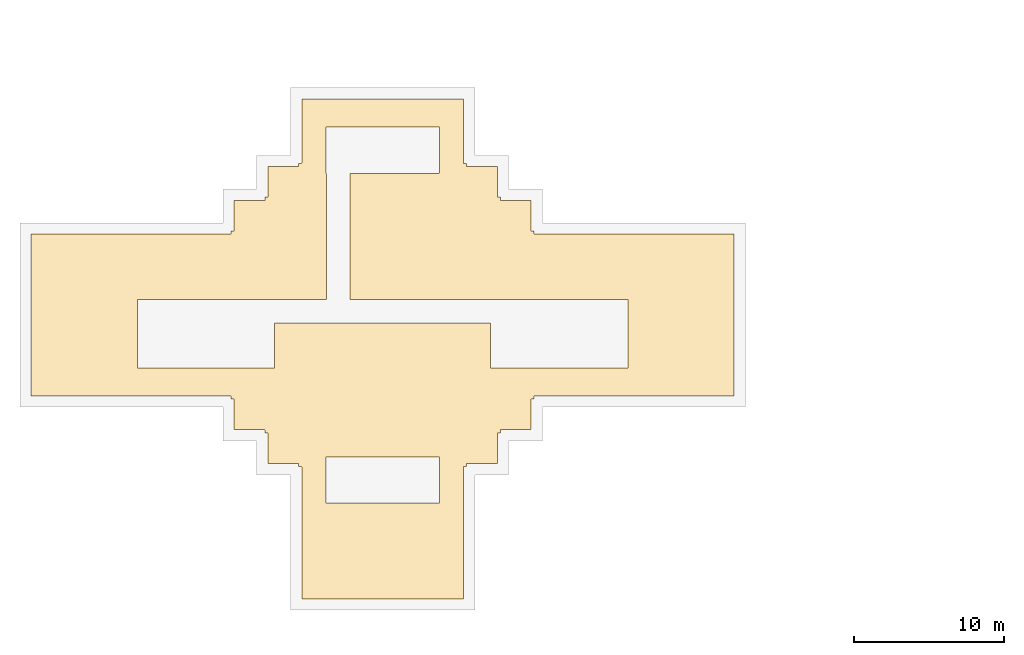
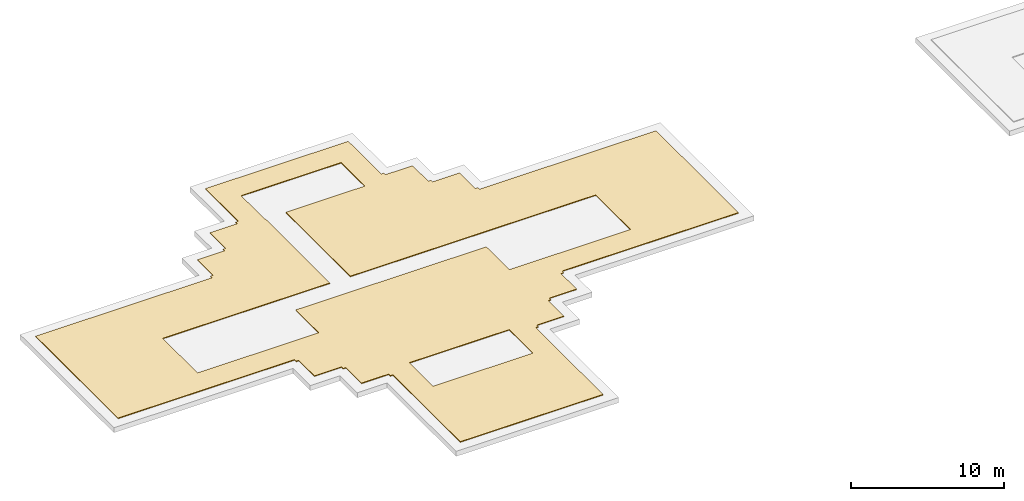
# One storey, part 2 of 3: 1 covering.
"""IFC4 building model written with IfcOpenShell, lengths in metres."""

from ifc_helpers import new_model, si_unit, direction, frame, origin, place, context, subcontext, project, spatial, polyline, outline, extrude, material, layer, layer_set, type_object, element, save


model = new_model("IFC4")

# Units and contexts
model_context = context("Model", 3, precision=1e-05, world=origin(), true_north=direction((0.0, 1.0)))
body_context = subcontext(model_context, "Body", "Model", "MODEL_VIEW")
ifc_project = project(units=[si_unit("LENGTHUNIT", "METRE"), si_unit("AREAUNIT", "SQUARE_METRE"), si_unit("VOLUMEUNIT", "CUBIC_METRE"), si_unit("PLANEANGLEUNIT", "RADIAN"), si_unit("MASSUNIT", "GRAM", prefix="KILO")], contexts=[model_context])

# Site, building, storey
site_placement = place(None, origin())
site = spatial("IfcSite", under=ifc_project, at=site_placement, CompositionType="ELEMENT")
building_placement = place(site_placement, origin())
building = spatial("IfcBuilding", under=site, at=building_placement, Name="Shamsa Quay Exchange Towers", CompositionType="ELEMENT")
storey_placement = place(building_placement, frame((0.0, 0.0, 311.199951171875)))
storey = spatial("IfcBuildingStorey", under=building, at=storey_placement, Name="Roof Crown", CompositionType="ELEMENT", Elevation=311.199951171875)

# Covering
ifc_material = material(Name="Bituminous waterproofing membrane with ballast")
ifc_layer = layer(ifc_material, 0.06005859375)
ifc_layer_set = layer_set([ifc_layer], Name="ROOF MEMBRANE 60")
covering_type = type_object("IfcCoveringType", Name="ROOF MEMBRANE 60", PredefinedType="ROOFING", material=ifc_layer_set)
covering_placement = place(storey_placement, frame((0.0, 0.0, 0.400146484375)))
element("IfcCovering", 1, at=covering_placement, inside=storey, type_object=covering_type, Name="Roof membrane T1 1", PredefinedType="ROOFING", context=body_context, shape_type="SweptSolid", body=[
    extrude(outline(polyline([(-41.38134765625, -9.88134765625), (-41.38134765625, -7.859375), (-41.381591796875, -7.857421875), (-41.3818359375, -7.85546875), (-41.38232421875, -7.853759765625), (-41.3828125, -7.851806640625), (-41.3837890625, -7.85009765625), (-41.384765625, -7.848388671875), (-41.385986328125, -7.8466796875), (-41.38720703125, -7.84521484375), (-41.388671875, -7.843994140625), (-41.390380859375, -7.8427734375), (-41.39208984375, -7.841796875), (-41.393798828125, -7.841064453125), (-41.3955078125, -7.84033203125), (-41.3974609375, -7.83984375), (-41.3994140625, -7.839599609375), (-41.4013671875, -7.83935546875), (-41.58447265625, -7.83935546875), (-41.58447265625, -7.6513671875), (-41.584716796875, -7.6494140625), (-41.5849609375, -7.6474609375), (-41.58544921875, -7.6455078125), (-41.586181640625, -7.643798828125), (-41.5869140625, -7.64208984375), (-41.587890625, -7.640380859375), (-41.589111328125, -7.638671875), (-41.59033203125, -7.63720703125), (-41.591796875, -7.635986328125), (-41.593505859375, -7.634765625), (-41.59521484375, -7.6337890625), (-41.596923828125, -7.6328125), (-41.5986328125, -7.63232421875), (-41.6005859375, -7.6318359375), (-41.6025390625, -7.631591796875), (-41.6044921875, -7.63134765625), (-43.63134765625, -7.63134765625), (-43.63134765625, -5.609375), (-43.631591796875, -5.607421875), (-43.6318359375, -5.60546875), (-43.63232421875, -5.603759765625), (-43.6328125, -5.601806640625), (-43.6337890625, -5.60009765625), (-43.634765625, -5.598388671875), (-43.635986328125, -5.5966796875), (-43.63720703125, -5.59521484375), (-43.638671875, -5.593994140625), (-43.640380859375, -5.5927734375), (-43.64208984375, -5.591796875), (-43.643798828125, -5.591064453125), (-43.6455078125, -5.59033203125), (-43.6474609375, -5.58984375), (-43.6494140625, -5.589599609375), (-43.6513671875, -5.58935546875), (-43.83447265625, -5.58935546875), (-43.83447265625, -5.4013671875), (-43.834716796875, -5.3994140625), (-43.8349609375, -5.3974609375), (-43.83544921875, -5.3955078125), (-43.836181640625, -5.393798828125), (-43.8369140625, -5.39208984375), (-43.837890625, -5.390380859375), (-43.839111328125, -5.388671875), (-43.84033203125, -5.38720703125), (-43.841796875, -5.385986328125), (-43.843505859375, -5.384765625), (-43.84521484375, -5.3837890625), (-43.846923828125, -5.3828125), (-43.8486328125, -5.38232421875), (-43.8505859375, -5.3818359375), (-43.8525390625, -5.381591796875), (-43.8544921875, -5.38134765625), (-50.6044921875, -5.38134765625), (-51.1455078125, -5.38134765625), (-57.13134765625, -5.38134765625), (-57.13134765625, -0.265625), (-57.13134765625, 0.265625), (-57.13134765625, 5.38134765625), (-51.1455078125, 5.38134765625), (-50.6044921875, 5.38134765625), (-43.8544921875, 5.38134765625), (-43.8525390625, 5.381591796875), (-43.8505859375, 5.3818359375), (-43.8486328125, 5.38232421875), (-43.846923828125, 5.3828125), (-43.84521484375, 5.3837890625), (-43.843505859375, 5.384765625), (-43.841796875, 5.385986328125), (-43.84033203125, 5.38720703125), (-43.839111328125, 5.388671875), (-43.837890625, 5.390380859375), (-43.8369140625, 5.39208984375), (-43.836181640625, 5.393798828125), (-43.83544921875, 5.3955078125), (-43.8349609375, 5.3974609375), (-43.834716796875, 5.3994140625), (-43.83447265625, 5.4013671875), (-43.83447265625, 5.58935546875), (-43.6513671875, 5.58935546875), (-43.6494140625, 5.589599609375), (-43.6474609375, 5.58984375), (-43.6455078125, 5.59033203125), (-43.643798828125, 5.591064453125), (-43.64208984375, 5.591796875), (-43.640380859375, 5.5927734375), (-43.638671875, 5.593994140625), (-43.63720703125, 5.59521484375), (-43.635986328125, 5.5966796875), (-43.634765625, 5.598388671875), (-43.6337890625, 5.60009765625), (-43.6328125, 5.601806640625), (-43.63232421875, 5.603759765625), (-43.6318359375, 5.60546875), (-43.631591796875, 5.607421875), (-43.63134765625, 5.609375), (-43.63134765625, 7.63134765625), (-41.6044921875, 7.63134765625), (-41.6025390625, 7.631591796875), (-41.6005859375, 7.6318359375), (-41.5986328125, 7.63232421875), (-41.596923828125, 7.6328125), (-41.59521484375, 7.6337890625), (-41.593505859375, 7.634765625), (-41.591796875, 7.635986328125), (-41.59033203125, 7.63720703125), (-41.589111328125, 7.638671875), (-41.587890625, 7.640380859375), (-41.5869140625, 7.64208984375), (-41.586181640625, 7.643798828125), (-41.58544921875, 7.6455078125), (-41.5849609375, 7.6474609375), (-41.584716796875, 7.6494140625), (-41.58447265625, 7.6513671875), (-41.58447265625, 7.83935546875), (-41.4013671875, 7.83935546875), (-41.3994140625, 7.839599609375), (-41.3974609375, 7.83984375), (-41.3955078125, 7.84033203125), (-41.393798828125, 7.841064453125), (-41.39208984375, 7.841796875), (-41.390380859375, 7.8427734375), (-41.388671875, 7.843994140625), (-41.38720703125, 7.84521484375), (-41.385986328125, 7.8466796875), (-41.384765625, 7.848388671875), (-41.3837890625, 7.85009765625), (-41.3828125, 7.851806640625), (-41.38232421875, 7.853759765625), (-41.3818359375, 7.85546875), (-41.381591796875, 7.857421875), (-41.38134765625, 7.859375), (-41.38134765625, 9.88134765625), (-39.3544921875, 9.88134765625), (-39.3525390625, 9.881591796875), (-39.3505859375, 9.8818359375), (-39.3486328125, 9.88232421875), (-39.346923828125, 9.8828125), (-39.34521484375, 9.8837890625), (-39.343505859375, 9.884765625), (-39.341796875, 9.885986328125), (-39.34033203125, 9.88720703125), (-39.339111328125, 9.888671875), (-39.337890625, 9.890380859375), (-39.3369140625, 9.89208984375), (-39.336181640625, 9.893798828125), (-39.33544921875, 9.8955078125), (-39.3349609375, 9.8974609375), (-39.334716796875, 9.8994140625), (-39.33447265625, 9.9013671875), (-39.33447265625, 10.08935546875), (-39.1513671875, 10.08935546875), (-39.1494140625, 10.089599609375), (-39.1474609375, 10.08984375), (-39.1455078125, 10.09033203125), (-39.143798828125, 10.091064453125), (-39.14208984375, 10.091796875), (-39.140380859375, 10.0927734375), (-39.138671875, 10.093994140625), (-39.13720703125, 10.09521484375), (-39.135986328125, 10.0966796875), (-39.134765625, 10.098388671875), (-39.1337890625, 10.10009765625), (-39.1328125, 10.101806640625), (-39.13232421875, 10.103759765625), (-39.1318359375, 10.10546875), (-39.131591796875, 10.107421875), (-39.13134765625, 10.109375), (-39.13134765625, 14.38134765625), (-34.0205078125, 14.38134765625), (-33.4794921875, 14.38134765625), (-28.36865234375, 14.38134765625), (-28.36865234375, 10.109375), (-28.368408203125, 10.107421875), (-28.3681640625, 10.10546875), (-28.36767578125, 10.103759765625), (-28.3671875, 10.101806640625), (-28.3662109375, 10.10009765625), (-28.365234375, 10.098388671875), (-28.364013671875, 10.0966796875), (-28.36279296875, 10.09521484375), (-28.361328125, 10.093994140625), (-28.359619140625, 10.0927734375), (-28.35791015625, 10.091796875), (-28.356201171875, 10.091064453125), (-28.3544921875, 10.09033203125), (-28.3525390625, 10.08984375), (-28.3505859375, 10.089599609375), (-28.3486328125, 10.08935546875), (-28.16552734375, 10.08935546875), (-28.16552734375, 9.9013671875), (-28.165283203125, 9.8994140625), (-28.1650390625, 9.8974609375), (-28.16455078125, 9.8955078125), (-28.163818359375, 9.893798828125), (-28.1630859375, 9.89208984375), (-28.162109375, 9.890380859375), (-28.160888671875, 9.888671875), (-28.15966796875, 9.88720703125), (-28.158203125, 9.885986328125), (-28.156494140625, 9.884765625), (-28.15478515625, 9.8837890625), (-28.153076171875, 9.8828125), (-28.1513671875, 9.88232421875), (-28.1494140625, 9.8818359375), (-28.1474609375, 9.881591796875), (-28.1455078125, 9.88134765625), (-26.11865234375, 9.88134765625), (-26.11865234375, 7.859375), (-26.118408203125, 7.857421875), (-26.1181640625, 7.85546875), (-26.11767578125, 7.853759765625), (-26.1171875, 7.851806640625), (-26.1162109375, 7.85009765625), (-26.115234375, 7.848388671875), (-26.114013671875, 7.8466796875), (-26.11279296875, 7.84521484375), (-26.111328125, 7.843994140625), (-26.109619140625, 7.8427734375), (-26.10791015625, 7.841796875), (-26.106201171875, 7.841064453125), (-26.1044921875, 7.84033203125), (-26.1025390625, 7.83984375), (-26.1005859375, 7.839599609375), (-26.0986328125, 7.83935546875), (-25.91552734375, 7.83935546875), (-25.91552734375, 7.6513671875), (-25.915283203125, 7.6494140625), (-25.9150390625, 7.6474609375), (-25.91455078125, 7.6455078125), (-25.913818359375, 7.643798828125), (-25.9130859375, 7.64208984375), (-25.912109375, 7.640380859375), (-25.910888671875, 7.638671875), (-25.90966796875, 7.63720703125), (-25.908203125, 7.635986328125), (-25.906494140625, 7.634765625), (-25.90478515625, 7.6337890625), (-25.903076171875, 7.6328125), (-25.9013671875, 7.63232421875), (-25.8994140625, 7.6318359375), (-25.8974609375, 7.631591796875), (-25.8955078125, 7.63134765625), (-23.86865234375, 7.63134765625), (-23.86865234375, 5.609375), (-23.868408203125, 5.607421875), (-23.8681640625, 5.60546875), (-23.86767578125, 5.603759765625), (-23.8671875, 5.601806640625), (-23.8662109375, 5.60009765625), (-23.865234375, 5.598388671875), (-23.864013671875, 5.5966796875), (-23.86279296875, 5.59521484375), (-23.861328125, 5.593994140625), (-23.859619140625, 5.5927734375), (-23.85791015625, 5.591796875), (-23.856201171875, 5.591064453125), (-23.8544921875, 5.59033203125), (-23.8525390625, 5.58984375), (-23.8505859375, 5.589599609375), (-23.8486328125, 5.58935546875), (-23.66552734375, 5.58935546875), (-23.66552734375, 5.4013671875), (-23.665283203125, 5.3994140625), (-23.6650390625, 5.3974609375), (-23.66455078125, 5.3955078125), (-23.663818359375, 5.393798828125), (-23.6630859375, 5.39208984375), (-23.662109375, 5.390380859375), (-23.660888671875, 5.388671875), (-23.65966796875, 5.38720703125), (-23.658203125, 5.385986328125), (-23.656494140625, 5.384765625), (-23.65478515625, 5.3837890625), (-23.653076171875, 5.3828125), (-23.6513671875, 5.38232421875), (-23.6494140625, 5.3818359375), (-23.6474609375, 5.381591796875), (-23.6455078125, 5.38134765625), (-16.8955078125, 5.38134765625), (-16.3544921875, 5.38134765625), (-10.36865234375, 5.38134765625), (-10.36865234375, 0.265625), (-10.36865234375, -0.265625), (-10.36865234375, -5.38134765625), (-16.3544921875, -5.38134765625), (-16.8955078125, -5.38134765625), (-23.6455078125, -5.38134765625), (-23.6474609375, -5.381591796875), (-23.6494140625, -5.3818359375), (-23.6513671875, -5.38232421875), (-23.653076171875, -5.3828125), (-23.65478515625, -5.3837890625), (-23.656494140625, -5.384765625), (-23.658203125, -5.385986328125), (-23.65966796875, -5.38720703125), (-23.660888671875, -5.388671875), (-23.662109375, -5.390380859375), (-23.6630859375, -5.39208984375), (-23.663818359375, -5.393798828125), (-23.66455078125, -5.3955078125), (-23.6650390625, -5.3974609375), (-23.665283203125, -5.3994140625), (-23.66552734375, -5.4013671875), (-23.66552734375, -5.58935546875), (-23.8486328125, -5.58935546875), (-23.8505859375, -5.589599609375), (-23.8525390625, -5.58984375), (-23.8544921875, -5.59033203125), (-23.856201171875, -5.591064453125), (-23.85791015625, -5.591796875), (-23.859619140625, -5.5927734375), (-23.861328125, -5.593994140625), (-23.86279296875, -5.59521484375), (-23.864013671875, -5.5966796875), (-23.865234375, -5.598388671875), (-23.8662109375, -5.60009765625), (-23.8671875, -5.601806640625), (-23.86767578125, -5.603759765625), (-23.8681640625, -5.60546875), (-23.868408203125, -5.607421875), (-23.86865234375, -5.609375), (-23.86865234375, -7.63134765625), (-25.8955078125, -7.63134765625), (-25.8974609375, -7.631591796875), (-25.8994140625, -7.6318359375), (-25.9013671875, -7.63232421875), (-25.903076171875, -7.6328125), (-25.90478515625, -7.6337890625), (-25.906494140625, -7.634765625), (-25.908203125, -7.635986328125), (-25.90966796875, -7.63720703125), (-25.910888671875, -7.638671875), (-25.912109375, -7.640380859375), (-25.9130859375, -7.64208984375), (-25.913818359375, -7.643798828125), (-25.91455078125, -7.6455078125), (-25.9150390625, -7.6474609375), (-25.915283203125, -7.6494140625), (-25.91552734375, -7.6513671875), (-25.91552734375, -7.83935546875), (-26.0986328125, -7.83935546875), (-26.1005859375, -7.839599609375), (-26.1025390625, -7.83984375), (-26.1044921875, -7.84033203125), (-26.106201171875, -7.841064453125), (-26.10791015625, -7.841796875), (-26.109619140625, -7.8427734375), (-26.111328125, -7.843994140625), (-26.11279296875, -7.84521484375), (-26.114013671875, -7.8466796875), (-26.115234375, -7.848388671875), (-26.1162109375, -7.85009765625), (-26.1171875, -7.851806640625), (-26.11767578125, -7.853759765625), (-26.1181640625, -7.85546875), (-26.118408203125, -7.857421875), (-26.11865234375, -7.859375), (-26.11865234375, -9.88134765625), (-28.1455078125, -9.88134765625), (-28.1474609375, -9.881591796875), (-28.1494140625, -9.8818359375), (-28.1513671875, -9.88232421875), (-28.153076171875, -9.8828125), (-28.15478515625, -9.8837890625), (-28.156494140625, -9.884765625), (-28.158203125, -9.885986328125), (-28.15966796875, -9.88720703125), (-28.160888671875, -9.888671875), (-28.162109375, -9.890380859375), (-28.1630859375, -9.89208984375), (-28.163818359375, -9.893798828125), (-28.16455078125, -9.8955078125), (-28.1650390625, -9.8974609375), (-28.165283203125, -9.8994140625), (-28.16552734375, -9.9013671875), (-28.16552734375, -10.08935546875), (-28.3486328125, -10.08935546875), (-28.3505859375, -10.089599609375), (-28.3525390625, -10.08984375), (-28.3544921875, -10.09033203125), (-28.356201171875, -10.091064453125), (-28.35791015625, -10.091796875), (-28.359619140625, -10.0927734375), (-28.361328125, -10.093994140625), (-28.36279296875, -10.09521484375), (-28.364013671875, -10.0966796875), (-28.365234375, -10.098388671875), (-28.3662109375, -10.10009765625), (-28.3671875, -10.101806640625), (-28.36767578125, -10.103759765625), (-28.3681640625, -10.10546875), (-28.368408203125, -10.107421875), (-28.36865234375, -10.109375), (-28.36865234375, -18.88134765625), (-33.4794921875, -18.88134765625), (-34.0205078125, -18.88134765625), (-39.13134765625, -18.88134765625), (-39.13134765625, -10.109375), (-39.131591796875, -10.107421875), (-39.1318359375, -10.10546875), (-39.13232421875, -10.103759765625), (-39.1328125, -10.101806640625), (-39.1337890625, -10.10009765625), (-39.134765625, -10.098388671875), (-39.135986328125, -10.0966796875), (-39.13720703125, -10.09521484375), (-39.138671875, -10.093994140625), (-39.140380859375, -10.0927734375), (-39.14208984375, -10.091796875), (-39.143798828125, -10.091064453125), (-39.1455078125, -10.09033203125), (-39.1474609375, -10.08984375), (-39.1494140625, -10.089599609375), (-39.1513671875, -10.08935546875), (-39.33447265625, -10.08935546875), (-39.33447265625, -9.9013671875), (-39.334716796875, -9.8994140625), (-39.3349609375, -9.8974609375), (-39.33544921875, -9.8955078125), (-39.336181640625, -9.893798828125), (-39.3369140625, -9.89208984375), (-39.337890625, -9.890380859375), (-39.339111328125, -9.888671875), (-39.34033203125, -9.88720703125), (-39.341796875, -9.885986328125), (-39.343505859375, -9.884765625), (-39.34521484375, -9.8837890625), (-39.346923828125, -9.8828125), (-39.3486328125, -9.88232421875), (-39.3505859375, -9.8818359375), (-39.3525390625, -9.881591796875), (-39.3544921875, -9.88134765625), (-41.38134765625, -9.88134765625)]), holes=[polyline([(-29.998046875, 12.52001953125), (-30.0, 12.52001953125), (-37.5, 12.52001953125), (-37.501953125, 12.52001953125), (-37.50390625, 12.51953125), (-37.505859375, 12.51904296875), (-37.507568359375, 12.5185546875), (-37.509521484375, 12.517578125), (-37.51123046875, 12.5166015625), (-37.5126953125, 12.515380859375), (-37.51416015625, 12.51416015625), (-37.515380859375, 12.5126953125), (-37.5166015625, 12.51123046875), (-37.517578125, 12.509521484375), (-37.5185546875, 12.507568359375), (-37.51904296875, 12.505859375), (-37.51953125, 12.50390625), (-37.52001953125, 12.501953125), (-37.52001953125, 12.5), (-37.52001953125, 9.449951171875), (-37.52001953125, 9.447998046875), (-37.51953125, 9.446044921875), (-37.51904296875, 9.444091796875), (-37.5185546875, 9.4423828125), (-37.517578125, 9.440673828125), (-37.5166015625, 9.43896484375), (-37.515380859375, 9.437255859375), (-37.51416015625, 9.435791015625), (-37.5126953125, 9.4345703125), (-37.51123046875, 9.433349609375), (-37.509521484375, 9.432373046875), (-37.507568359375, 9.431640625), (-37.505859375, 9.430908203125), (-37.50390625, 9.430419921875), (-37.501953125, 9.43017578125), (-37.5, 9.429931640625), (-37.469970703125, 9.429931640625), (-37.469970703125, 1.02001953125), (-40.949951171875, 1.02001953125), (-44.800048828125, 1.02001953125), (-50.050048828125, 1.02001953125), (-50.052001953125, 1.02001953125), (-50.053955078125, 1.01953125), (-50.055908203125, 1.01904296875), (-50.0576171875, 1.0185546875), (-50.059326171875, 1.017578125), (-50.06103515625, 1.0166015625), (-50.062744140625, 1.015380859375), (-50.064208984375, 1.01416015625), (-50.0654296875, 1.0126953125), (-50.066650390625, 1.01123046875), (-50.067626953125, 1.009521484375), (-50.068359375, 1.007568359375), (-50.069091796875, 1.005859375), (-50.069580078125, 1.00390625), (-50.06982421875, 1.001953125), (-50.070068359375, 1.0), (-50.070068359375, -0.5), (-50.070068359375, -3.5), (-50.06982421875, -3.501953125), (-50.069580078125, -3.50390625), (-50.069091796875, -3.505859375), (-50.068359375, -3.507568359375), (-50.067626953125, -3.509521484375), (-50.066650390625, -3.51123046875), (-50.0654296875, -3.5126953125), (-50.064208984375, -3.51416015625), (-50.062744140625, -3.515380859375), (-50.06103515625, -3.5166015625), (-50.059326171875, -3.517578125), (-50.0576171875, -3.5185546875), (-50.055908203125, -3.51904296875), (-50.053955078125, -3.51953125), (-50.052001953125, -3.52001953125), (-50.050048828125, -3.52001953125), (-40.949951171875, -3.52001953125), (-40.947998046875, -3.52001953125), (-40.946044921875, -3.51953125), (-40.944091796875, -3.51904296875), (-40.9423828125, -3.5185546875), (-40.940673828125, -3.517578125), (-40.93896484375, -3.5166015625), (-40.937255859375, -3.515380859375), (-40.935791015625, -3.51416015625), (-40.9345703125, -3.5126953125), (-40.933349609375, -3.51123046875), (-40.932373046875, -3.509521484375), (-40.931640625, -3.507568359375), (-40.930908203125, -3.505859375), (-40.930419921875, -3.50390625), (-40.93017578125, -3.501953125), (-40.929931640625, -3.5), (-40.929931640625, -0.52001953125), (-26.570068359375, -0.52001953125), (-26.570068359375, -3.5), (-26.56982421875, -3.501953125), (-26.569580078125, -3.50390625), (-26.569091796875, -3.505859375), (-26.568359375, -3.507568359375), (-26.567626953125, -3.509521484375), (-26.566650390625, -3.51123046875), (-26.5654296875, -3.5126953125), (-26.564208984375, -3.51416015625), (-26.562744140625, -3.515380859375), (-26.56103515625, -3.5166015625), (-26.559326171875, -3.517578125), (-26.5576171875, -3.5185546875), (-26.555908203125, -3.51904296875), (-26.553955078125, -3.51953125), (-26.552001953125, -3.52001953125), (-26.550048828125, -3.52001953125), (-17.449951171875, -3.52001953125), (-17.447998046875, -3.52001953125), (-17.446044921875, -3.51953125), (-17.444091796875, -3.51904296875), (-17.4423828125, -3.5185546875), (-17.440673828125, -3.517578125), (-17.43896484375, -3.5166015625), (-17.437255859375, -3.515380859375), (-17.435791015625, -3.51416015625), (-17.4345703125, -3.5126953125), (-17.433349609375, -3.51123046875), (-17.432373046875, -3.509521484375), (-17.431640625, -3.507568359375), (-17.430908203125, -3.505859375), (-17.430419921875, -3.50390625), (-17.43017578125, -3.501953125), (-17.429931640625, -3.5), (-17.429931640625, -0.5), (-17.429931640625, 1.0), (-17.43017578125, 1.001953125), (-17.430419921875, 1.00390625), (-17.430908203125, 1.005859375), (-17.431640625, 1.007568359375), (-17.432373046875, 1.009521484375), (-17.433349609375, 1.01123046875), (-17.4345703125, 1.0126953125), (-17.435791015625, 1.01416015625), (-17.437255859375, 1.015380859375), (-17.43896484375, 1.0166015625), (-17.440673828125, 1.017578125), (-17.4423828125, 1.0185546875), (-17.444091796875, 1.01904296875), (-17.446044921875, 1.01953125), (-17.447998046875, 1.02001953125), (-17.449951171875, 1.02001953125), (-22.699951171875, 1.02001953125), (-26.550048828125, 1.02001953125), (-35.929931640625, 1.02001953125), (-35.929931640625, 9.429931640625), (-30.0, 9.429931640625), (-29.998046875, 9.43017578125), (-29.99609375, 9.430419921875), (-29.994140625, 9.430908203125), (-29.992431640625, 9.431640625), (-29.990478515625, 9.432373046875), (-29.98876953125, 9.433349609375), (-29.9873046875, 9.4345703125), (-29.98583984375, 9.435791015625), (-29.984619140625, 9.437255859375), (-29.9833984375, 9.43896484375), (-29.982421875, 9.440673828125), (-29.9814453125, 9.4423828125), (-29.98095703125, 9.444091796875), (-29.98046875, 9.446044921875), (-29.97998046875, 9.447998046875), (-29.97998046875, 9.449951171875), (-29.97998046875, 12.5), (-29.97998046875, 12.501953125), (-29.98046875, 12.50390625), (-29.98095703125, 12.505859375), (-29.9814453125, 12.507568359375), (-29.982421875, 12.509521484375), (-29.9833984375, 12.51123046875), (-29.984619140625, 12.5126953125), (-29.98583984375, 12.51416015625), (-29.9873046875, 12.515380859375), (-29.98876953125, 12.5166015625), (-29.990478515625, 12.517578125), (-29.992431640625, 12.5185546875), (-29.994140625, 12.51904296875), (-29.99609375, 12.51953125), (-29.998046875, 12.52001953125)]), polyline([(-29.99609375, -9.430419921875), (-29.998046875, -9.43017578125), (-30.0, -9.429931640625), (-37.5, -9.429931640625), (-37.501953125, -9.43017578125), (-37.50390625, -9.430419921875), (-37.505859375, -9.430908203125), (-37.507568359375, -9.431640625), (-37.509521484375, -9.432373046875), (-37.51123046875, -9.433349609375), (-37.5126953125, -9.4345703125), (-37.51416015625, -9.435791015625), (-37.515380859375, -9.437255859375), (-37.5166015625, -9.43896484375), (-37.517578125, -9.440673828125), (-37.5185546875, -9.4423828125), (-37.51904296875, -9.444091796875), (-37.51953125, -9.446044921875), (-37.52001953125, -9.447998046875), (-37.52001953125, -9.449951171875), (-37.52001953125, -12.5), (-37.52001953125, -12.501953125), (-37.51953125, -12.50390625), (-37.51904296875, -12.505859375), (-37.5185546875, -12.507568359375), (-37.517578125, -12.509521484375), (-37.5166015625, -12.51123046875), (-37.515380859375, -12.5126953125), (-37.51416015625, -12.51416015625), (-37.5126953125, -12.515380859375), (-37.51123046875, -12.5166015625), (-37.509521484375, -12.517578125), (-37.507568359375, -12.5185546875), (-37.505859375, -12.51904296875), (-37.50390625, -12.51953125), (-37.501953125, -12.52001953125), (-37.5, -12.52001953125), (-30.0, -12.52001953125), (-29.998046875, -12.52001953125), (-29.99609375, -12.51953125), (-29.994140625, -12.51904296875), (-29.992431640625, -12.5185546875), (-29.990478515625, -12.517578125), (-29.98876953125, -12.5166015625), (-29.9873046875, -12.515380859375), (-29.98583984375, -12.51416015625), (-29.984619140625, -12.5126953125), (-29.9833984375, -12.51123046875), (-29.982421875, -12.509521484375), (-29.9814453125, -12.507568359375), (-29.98095703125, -12.505859375), (-29.98046875, -12.50390625), (-29.97998046875, -12.501953125), (-29.97998046875, -12.5), (-29.97998046875, -9.449951171875), (-29.97998046875, -9.447998046875), (-29.98046875, -9.446044921875), (-29.98095703125, -9.444091796875), (-29.9814453125, -9.4423828125), (-29.982421875, -9.440673828125), (-29.9833984375, -9.43896484375), (-29.984619140625, -9.437255859375), (-29.98583984375, -9.435791015625), (-29.9873046875, -9.4345703125), (-29.98876953125, -9.433349609375), (-29.990478515625, -9.432373046875), (-29.992431640625, -9.431640625), (-29.994140625, -9.430908203125), (-29.99609375, -9.430419921875)])]), origin(), (0.0, 0.0, 1.0), 0.059814453125),
])

save(model, "model.ifc")
